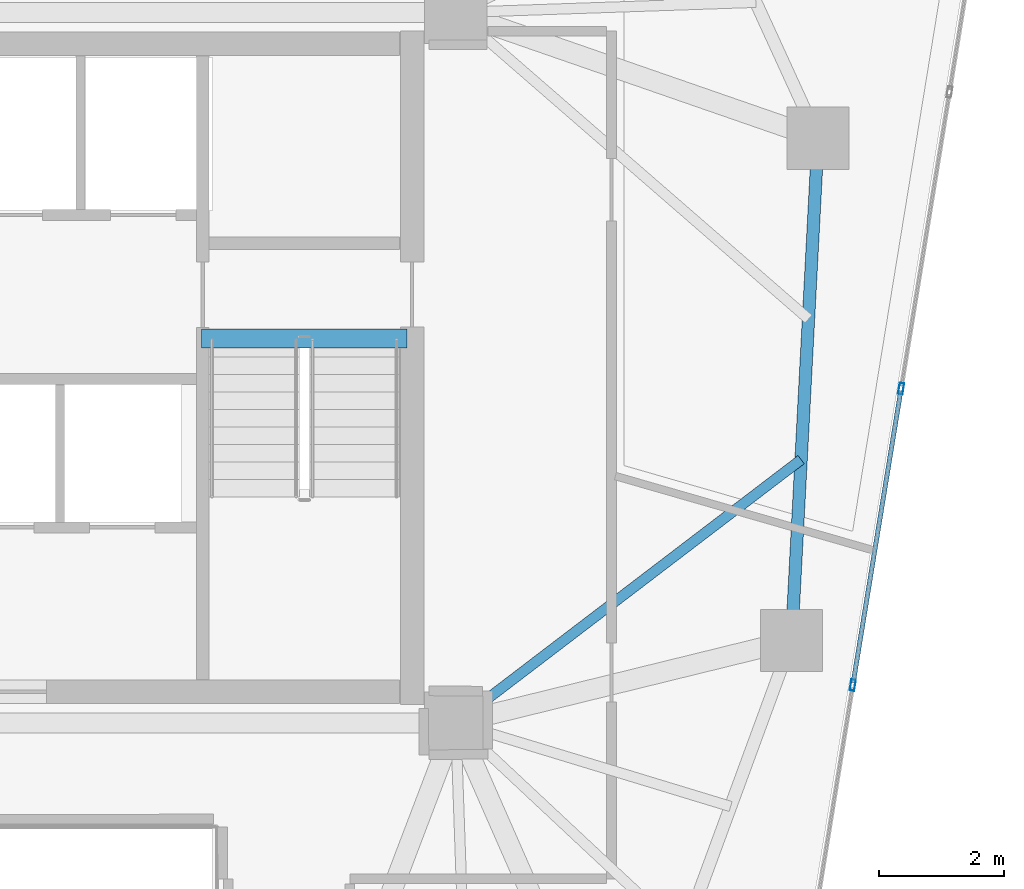
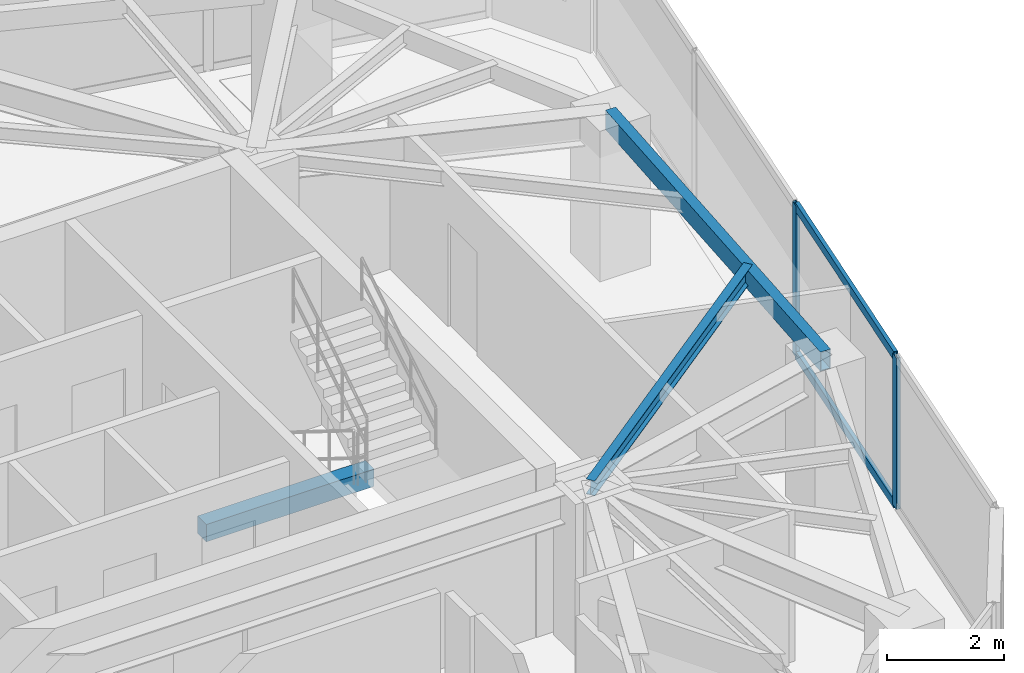
# One storey, part 10 of 20: 4 members, 3 beams, 1 element without a shape of its own.
"""IFC4 building model written with IfcOpenShell, lengths in metres."""

from ifc_helpers import new_model, si_unit, direction, frame, origin, origin_2d, place, context, subcontext, project, spatial, rectangle, hollow_rectangle, i_section, extrude, source, transform, mapped, material, layer, layer_set, material_profile, profile_set, type_object, type_shapes, element, aggregate, save


model = new_model("IFC4")

# Units and contexts
model_context = context("Model", 3, precision=1e-05, world=origin(), true_north=direction((0.0, 1.0)))
body_context = subcontext(model_context, "Body", "Model", "MODEL_VIEW")
ifc_project = project(units=[si_unit("LENGTHUNIT", "METRE"), si_unit("AREAUNIT", "SQUARE_METRE"), si_unit("VOLUMEUNIT", "CUBIC_METRE"), si_unit("PLANEANGLEUNIT", "RADIAN"), si_unit("MASSUNIT", "GRAM", prefix="KILO")], contexts=[model_context])

# Site, building, storey
site_placement = place(None, origin())
site = spatial("IfcSite", under=ifc_project, at=site_placement, CompositionType="ELEMENT")
building_placement = place(site_placement, origin())
building = spatial("IfcBuilding", under=site, at=building_placement, Name="Talar Marvaseh", CompositionType="ELEMENT")
storey_placement = place(building_placement, frame((0.0, 0.0, 198.5)))
storey = spatial("IfcBuildingStorey", under=building, at=storey_placement, Name="L52", CompositionType="ELEMENT", Elevation=198.5)

# Beams
ifc_material_1 = material(Name="Concrete C40/50", Category="concrete")
ifc_material_profile_1 = material_profile(ifc_material_1, rectangle(XDim=0.300048828125, YDim=0.360107421875, at=origin_2d()), Name="RC300x360")
ifc_profile_set_1 = profile_set([ifc_material_profile_1], Name="Concrete C40/50")
beam_type_1 = type_object("IfcBeamType", Name="Concrete Stair Landing Trimmer Beam RC300x360", PredefinedType="SPANDREL", material=ifc_profile_set_1)
beam_1_placement = place(storey_placement, frame((29.219970703125, 31.669921875, -0.179931640625), z_axis=(1.0, 0.0, 0.0), x_axis=(0.0, 1.0, 0.0)))
element("IfcBeam", 1, at=beam_1_placement, inside=storey, type_object=beam_type_1, Name="L52 ST-2 Stair Nosing Trimmer Beam", PredefinedType="SPANDREL", context=body_context, shape_type="SweptSolid", body=[
    extrude(rectangle(XDim=0.300048828125, YDim=0.360107421875, at=origin_2d()), origin(), (0.0, 0.0, 1.0), 3.300048828125),
])
ifc_material_2 = material(Name="Steel S355", Category="steel")
ifc_material_profile_2 = material_profile(ifc_material_2, hollow_rectangle(XDim=0.199951171875, YDim=0.39990234375, WallThickness=0.013916015625, at=origin_2d()), Name="RHS400x200x14")
ifc_profile_set_2 = profile_set([ifc_material_profile_2], Name="Steel S355")
beam_type_2 = type_object("IfcBeamType", Name="Zone 3 Perimeter Spandrel Beam RHS400x200x14", PredefinedType="SPANDREL", material=ifc_profile_set_2)
beam_2_placement = place(storey_placement, frame((39.113037109375, 34.884033203125, 2.949951171875), z_axis=(-0.052541369293, -0.998618748328, 0.0), x_axis=(0.998618748328, -0.052541369293, 0.0)))
element("IfcBeam", 2, at=beam_2_placement, inside=storey, type_object=beam_type_2, Name="L52 Zone 3 Perimeter Spandrel Beam RHS400x200x14", PredefinedType="SPANDREL", context=body_context, shape_type="SweptSolid", body=[
    extrude(hollow_rectangle(XDim=0.199951171875, YDim=0.39990234375, WallThickness=0.013916015625, at=origin_2d()), origin(), (0.0, 0.0, 1.0), 8.0712890625),
])
ifc_material_profile_3 = material_profile(ifc_material_2, i_section(OverallWidth=0.166015625, OverallDepth=0.31298828125, WebThickness=0.006591796875, FlangeThickness=0.01123046875, at=origin_2d()), Name="W310x45")
ifc_profile_set_3 = profile_set([ifc_material_profile_3], Name="Steel S355")
beam_type_3 = type_object("IfcBeamType", Name="Zone 3 Secondary Floor Joist W310x45", PredefinedType="JOIST", material=ifc_profile_set_3)
beam_3_placement = place(storey_placement, frame((38.841552734375, 29.7255859375, 2.993408203125), z_axis=(-0.795190393297, -0.606359825852, 0.0), x_axis=(0.606359825852, -0.795190393297, 0.0)))
element("IfcBeam", 3, at=beam_3_placement, inside=storey, type_object=beam_type_3, Name="L52 Zone 3 Secondary Floor Joist W310x45", PredefinedType="JOIST", context=body_context, shape_type="SweptSolid", body=[
    extrude(i_section(OverallWidth=0.166015625, OverallDepth=0.31298828125, WebThickness=0.006591796875, FlangeThickness=0.01123046875, at=origin_2d()), origin(), (0.0, 0.0, 1.0), 6.96875),
])

# Curtain wall, members
ifc_material_3 = material(Name="Architectural Aluminium", Category="aluminium")
ifc_layer = layer(ifc_material_3, 0.18994140625)
ifc_layer_set = layer_set([ifc_layer], Name="Architectural Aluminium")
curtain_wall_type = type_object("IfcCurtainWallType", Name="Unitised Solar Atelier Curtain Wall Z3", PredefinedType="NOTDEFINED", material=ifc_layer_set)
curtain_wall_placement = place(storey_placement, origin())
curtain_wall = element("IfcCurtainWall", 4, at=curtain_wall_placement, inside=storey, type_object=curtain_wall_type, Name="L52 Unitised Solar Atelier Curtain Wall Z3", PredefinedType="NOTDEFINED")
ifc_material_profile_4 = material_profile(ifc_material_3, hollow_rectangle(XDim=0.074951171875, YDim=0.179931640625, WallThickness=0.0048828125, at=origin_2d()), Name="RHS180x75x5")
ifc_profile_set_4 = profile_set([ifc_material_profile_4], Name="Architectural Aluminium")
member_type_1 = type_object("IfcMemberType", Name="Unitised Curtain Wall Transom RHS180x75x5", PredefinedType="USERDEFINED", material=ifc_profile_set_4)
shared_shape_1 = source(origin(), body_context, "Body", "SweptSolid", [
    extrude(hollow_rectangle(XDim=0.074951171875, YDim=0.179931640625, WallThickness=0.0048828125, at=origin_2d()), origin(), (0.0, 0.0, 1.0), 4.7470703125),
])
type_shapes(member_type_1, [shared_shape_1])
member_1_placement = place(storey_placement, frame((40.44091796875, 30.8291015625, 0.03759765625), z_axis=(-0.160870178654, -0.986975574986, 0.0), x_axis=(0.986975574986, -0.160870178654, 0.0)))
member_1 = element("IfcMember", 5, at=member_1_placement, type_object=member_type_1, Name="CW-Z3 transom 3.1", ObjectType="TRANSOM", PredefinedType="USERDEFINED", context=body_context, shape_type="MappedRepresentation", body=[
    mapped(shared_shape_1, transform((0.0, 0.0, 0.0), x_axis=(1.0, 0.0, 0.0), y_axis=(0.0, 1.0, 0.0), z_axis=(0.0, 0.0, 1.0), scale=1.0)),
])
member_2_placement = place(storey_placement, frame((40.44091796875, 30.8291015625, 3.112548828125), z_axis=(-0.160870178654, -0.986975574986, 0.0), x_axis=(0.986975574986, -0.160870178654, 0.0)))
member_2 = element("IfcMember", 6, at=member_2_placement, type_object=member_type_1, Name="CW-Z3 transom 3.2", ObjectType="TRANSOM", PredefinedType="USERDEFINED", context=body_context, shape_type="MappedRepresentation", body=[
    mapped(shared_shape_1, transform((0.0, 0.0, 0.0), x_axis=(1.0, 0.0, 0.0), y_axis=(0.0, 1.0, 0.0), z_axis=(0.0, 0.0, 1.0), scale=1.0)),
])
ifc_material_profile_5 = material_profile(ifc_material_3, hollow_rectangle(XDim=0.074951171875, YDim=0.179931640625, WallThickness=0.0048828125, at=origin_2d()), Name="RHS180x75x5")
ifc_profile_set_5 = profile_set([ifc_material_profile_5], Name="Architectural Aluminium")
member_type_2 = type_object("IfcMemberType", Name="Unitised Curtain Wall Standard Mullion RHS180x75x5", PredefinedType="MULLION", material=ifc_profile_set_5)
shared_shape_2 = source(origin(), body_context, "Body", "SweptSolid", [
    extrude(hollow_rectangle(XDim=0.074951171875, YDim=0.179931640625, WallThickness=0.0048828125, at=origin_2d()), origin(), (0.0, 0.0, 1.0), 3.14990234375),
])
type_shapes(member_type_2, [shared_shape_2])
member_3_placement = place(storey_placement, frame((40.447021484375, 30.865966796875, 0.0), z_axis=(0.0, 0.0, 1.0), x_axis=(0.986971316934, -0.160896300608, 0.0)))
member_3 = element("IfcMember", 7, at=member_3_placement, type_object=member_type_2, Name="CW-Z3 mullion 3", PredefinedType="MULLION", context=body_context, shape_type="MappedRepresentation", body=[
    mapped(shared_shape_2, transform((0.0, 0.0, 0.0), x_axis=(1.0, 0.0, 0.0), y_axis=(0.0, 1.0, 0.0), z_axis=(0.0, 0.0, 1.0), scale=1.0)),
])
member_4_placement = place(storey_placement, frame((39.671142578125, 26.10693359375, 0.0), z_axis=(0.0, 0.0, 1.0), x_axis=(0.986971316934, -0.160896300608, 0.0)))
member_4 = element("IfcMember", 8, at=member_4_placement, type_object=member_type_2, Name="CW-Z3 mullion 4", PredefinedType="MULLION", context=body_context, shape_type="MappedRepresentation", body=[
    mapped(shared_shape_2, transform((0.0, 0.0, 0.0), x_axis=(1.0, 0.0, 0.0), y_axis=(0.0, 1.0, 0.0), z_axis=(0.0, 0.0, 1.0), scale=1.0)),
])
aggregate(curtain_wall, [member_3, member_4, member_1, member_2])

save(model, "model.ifc")
